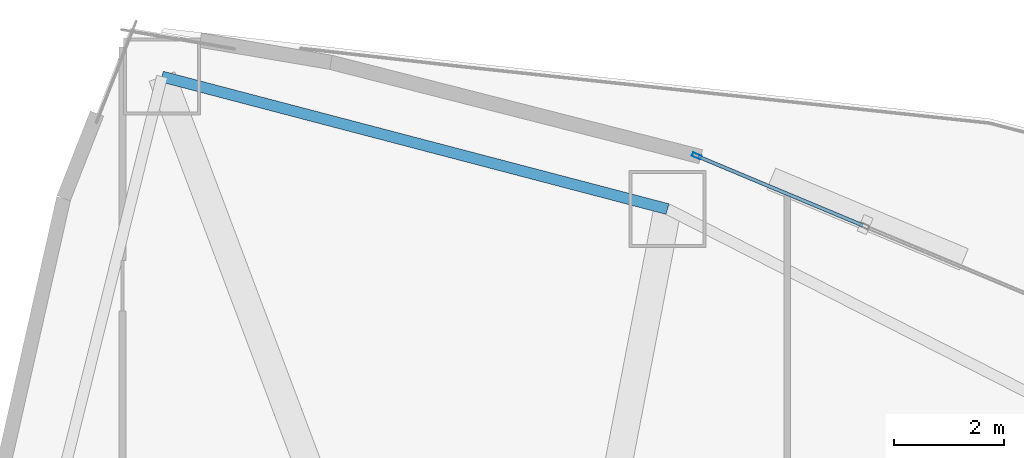
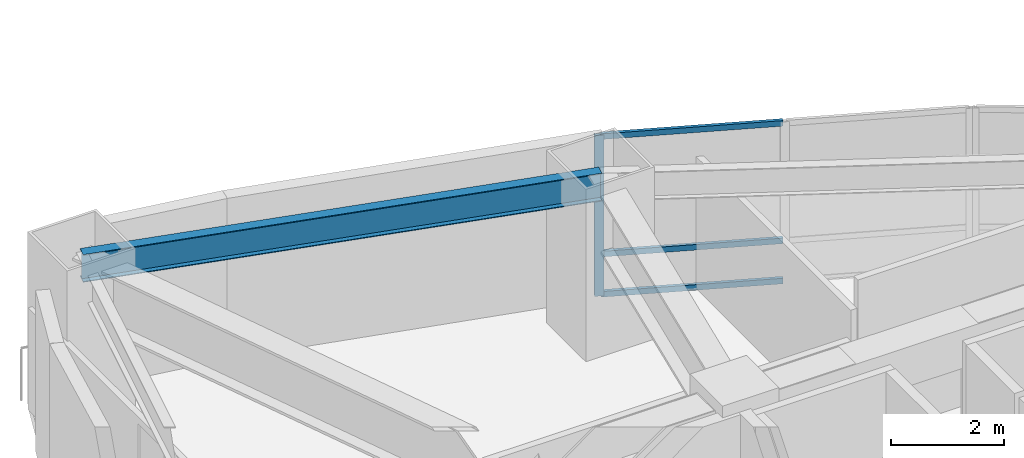
# One storey, part 9 of 19: 4 members, 1 beam, 1 element without a shape of its own.
"""IFC4 building model written with IfcOpenShell, lengths in metres."""

from ifc_helpers import new_model, si_unit, direction, frame, origin, origin_2d, place, context, subcontext, project, spatial, hollow_rectangle, i_section, extrude, material, layer, layer_set, material_profile, profile_set, type_object, element, aggregate, save


model = new_model("IFC4")

# Units and contexts
model_context = context("Model", 3, precision=1e-05, world=origin(), true_north=direction((0.0, 1.0)))
body_context = subcontext(model_context, "Body", "Model", "MODEL_VIEW")
ifc_project = project(units=[si_unit("LENGTHUNIT", "METRE"), si_unit("AREAUNIT", "SQUARE_METRE"), si_unit("VOLUMEUNIT", "CUBIC_METRE"), si_unit("PLANEANGLEUNIT", "RADIAN"), si_unit("MASSUNIT", "GRAM", prefix="KILO")], contexts=[model_context])

# Site, building, storey
site_placement = place(None, origin())
site = spatial("IfcSite", under=ifc_project, at=site_placement, CompositionType="ELEMENT")
building_placement = place(site_placement, origin())
building = spatial("IfcBuilding", under=site, at=building_placement, Name="Menara Vayukalpa", CompositionType="ELEMENT")
storey_placement = place(building_placement, frame((0.0, 0.0, 68.52001953125)))
storey = spatial("IfcBuildingStorey", under=building, at=storey_placement, Name="L16", CompositionType="ELEMENT", Elevation=68.52001953125)

# Beam
ifc_material_1 = material(Name="Steel S355", Category="steel")
ifc_material_profile_1 = material_profile(ifc_material_1, i_section(OverallWidth=0.199951171875, OverallDepth=0.60009765625, WebThickness=0.010986328125, FlangeThickness=0.01708984375, at=origin_2d()), Name="WF 600x200x11x17")
ifc_profile_set_1 = profile_set([ifc_material_profile_1], Name="Steel S355")
beam_type = type_object("IfcBeamType", Name="BM-SP1", PredefinedType="SPANDREL", material=ifc_profile_set_1)
beam_placement = place(storey_placement, frame((23.41943359375, 33.9228515625, 3.169921875), z_axis=(-0.967331024421, 0.253516644802, 0.0), x_axis=(-0.253516644802, -0.967331024421, 0.0)))
element("IfcBeam", 1, at=beam_placement, inside=storey, type_object=beam_type, Name="L16 Perimeter Spandrel Beam SP03", PredefinedType="SPANDREL", context=body_context, shape_type="SweptSolid", body=[
    extrude(i_section(OverallWidth=0.199951171875, OverallDepth=0.60009765625, WebThickness=0.010986328125, FlangeThickness=0.01708984375, at=origin_2d()), origin(), (0.0, 0.0, 1.0), 9.5126953125),
])

# Curtain wall, members
ifc_material_2 = material(Name="Anodised Terracotta Aluminium Alloy 6063-T6", Category="masonry")
ifc_layer = layer(ifc_material_2, 0.1650390625)
ifc_layer_set = layer_set([ifc_layer], Name="Anodised Terracotta Aluminium Alloy 6063-T6")
curtain_wall_type = type_object("IfcCurtainWallType", Name="CW-CW2", PredefinedType="USERDEFINED", material=ifc_layer_set)
curtain_wall_placement = place(storey_placement, origin())
curtain_wall = element("IfcCurtainWall", 2, at=curtain_wall_placement, inside=storey, type_object=curtain_wall_type, Name="L16 Low Rise Terracotta Ribbon Curtain Wall CW2 05", ObjectType="UNITISED", PredefinedType="USERDEFINED")
ifc_material_3 = material(Name="Anodised Terracotta Aluminium Alloy 6063-T6", Category="masonry")
ifc_material_profile_2 = material_profile(ifc_material_3, hollow_rectangle(XDim=0.070068359375, YDim=0.1650390625, WallThickness=0.00390625, at=origin_2d()), Name="ALU 70x165x4")
ifc_profile_set_2 = profile_set([ifc_material_profile_2], Name="Anodised Terracotta Aluminium Alloy 6063-T6")
member_type_1 = type_object("IfcMemberType", Name="CWM-CW2", PredefinedType="MULLION", material=ifc_profile_set_2)
member_1_placement = place(storey_placement, frame((23.950927734375, 34.889404296875, 0.0), z_axis=(0.0, 0.0, 1.0), x_axis=(-0.385895120445, -0.922542658101, 0.0)))
member_1 = element("IfcMember", 3, at=member_1_placement, type_object=member_type_1, Name="CW2 mullion 3", PredefinedType="MULLION", context=body_context, shape_type="SweptSolid", body=[
    extrude(hollow_rectangle(XDim=0.070068359375, YDim=0.1650390625, WallThickness=0.00390625, at=origin_2d()), origin(), (0.0, 0.0, 1.0), 3.469970703125),
])
ifc_material_4 = material(Name="Anodised Terracotta Aluminium Alloy 6063-T6", Category="masonry")
ifc_material_profile_3 = material_profile(ifc_material_4, hollow_rectangle(XDim=0.06494140625, YDim=0.1201171875, WallThickness=0.00341796875, at=origin_2d()), Name="ALU 65x120x3.5")
ifc_profile_set_3 = profile_set([ifc_material_profile_3], Name="Anodised Terracotta Aluminium Alloy 6063-T6")
member_type_2 = type_object("IfcMemberType", Name="CWT-CW2", PredefinedType="USERDEFINED", material=ifc_profile_set_3)
member_2_placement = place(storey_placement, frame((26.974609375, 33.624755859375, 0.032470703125), z_axis=(-0.922552588381, 0.385871379699, 0.0), x_axis=(-0.385871379699, -0.922552588381, 0.0)))
member_2 = element("IfcMember", 4, at=member_2_placement, type_object=member_type_2, Name="CW2 transom 2.1", ObjectType="TRANSOM", PredefinedType="USERDEFINED", context=body_context, shape_type="SweptSolid", body=[
    extrude(hollow_rectangle(XDim=0.06494140625, YDim=0.1201171875, WallThickness=0.00341796875, at=origin_2d()), origin(), (0.0, 0.0, 1.0), 3.24267578125),
])
member_3_placement = place(storey_placement, frame((26.974609375, 33.624755859375, 0.89990234375), z_axis=(-0.922552588381, 0.385871379699, 0.0), x_axis=(-0.385871379699, -0.922552588381, 0.0)))
member_3 = element("IfcMember", 5, at=member_3_placement, type_object=member_type_2, Name="CW2 transom 2.2", ObjectType="TRANSOM", PredefinedType="USERDEFINED", context=body_context, shape_type="SweptSolid", body=[
    extrude(hollow_rectangle(XDim=0.06494140625, YDim=0.1201171875, WallThickness=0.00341796875, at=origin_2d()), origin(), (0.0, 0.0, 1.0), 3.24267578125),
])
member_4_placement = place(storey_placement, frame((26.974609375, 33.624755859375, 3.4375), z_axis=(-0.922552588381, 0.385871379699, 0.0), x_axis=(-0.385871379699, -0.922552588381, 0.0)))
member_4 = element("IfcMember", 6, at=member_4_placement, type_object=member_type_2, Name="CW2 transom 2.3", ObjectType="TRANSOM", PredefinedType="USERDEFINED", context=body_context, shape_type="SweptSolid", body=[
    extrude(hollow_rectangle(XDim=0.06494140625, YDim=0.1201171875, WallThickness=0.00341796875, at=origin_2d()), origin(), (0.0, 0.0, 1.0), 3.24267578125),
])
aggregate(curtain_wall, [member_1, member_2, member_3, member_4])

save(model, "model.ifc")
